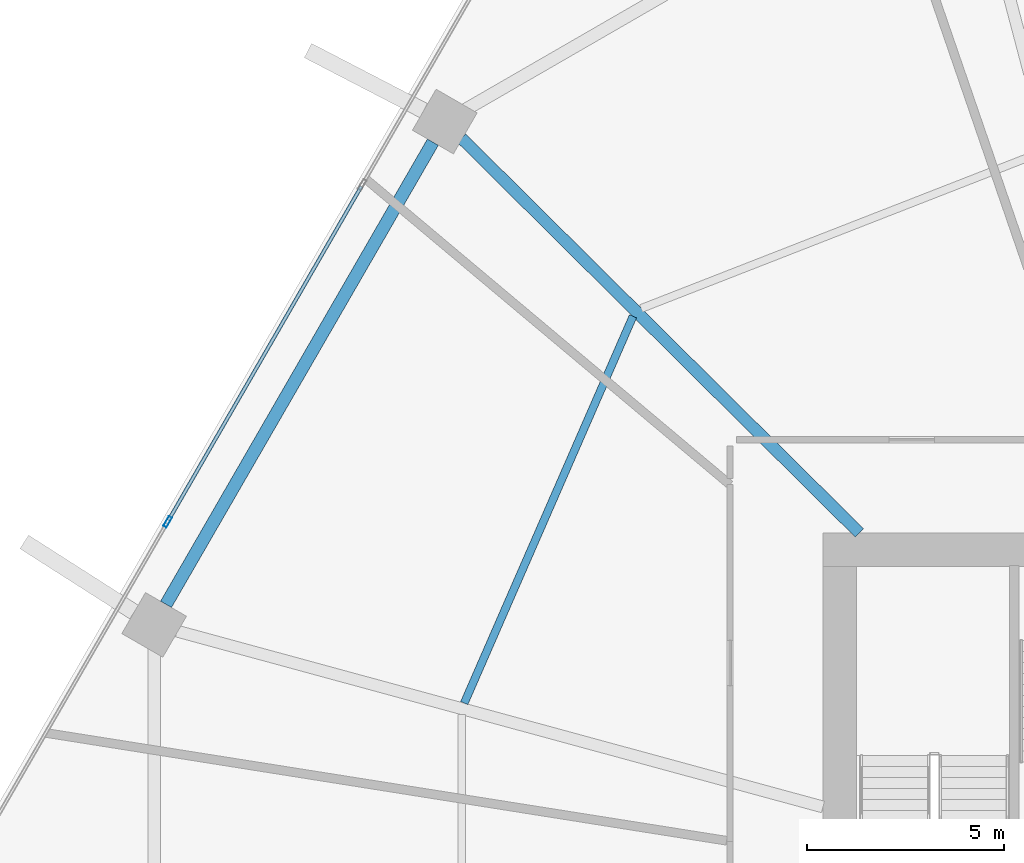
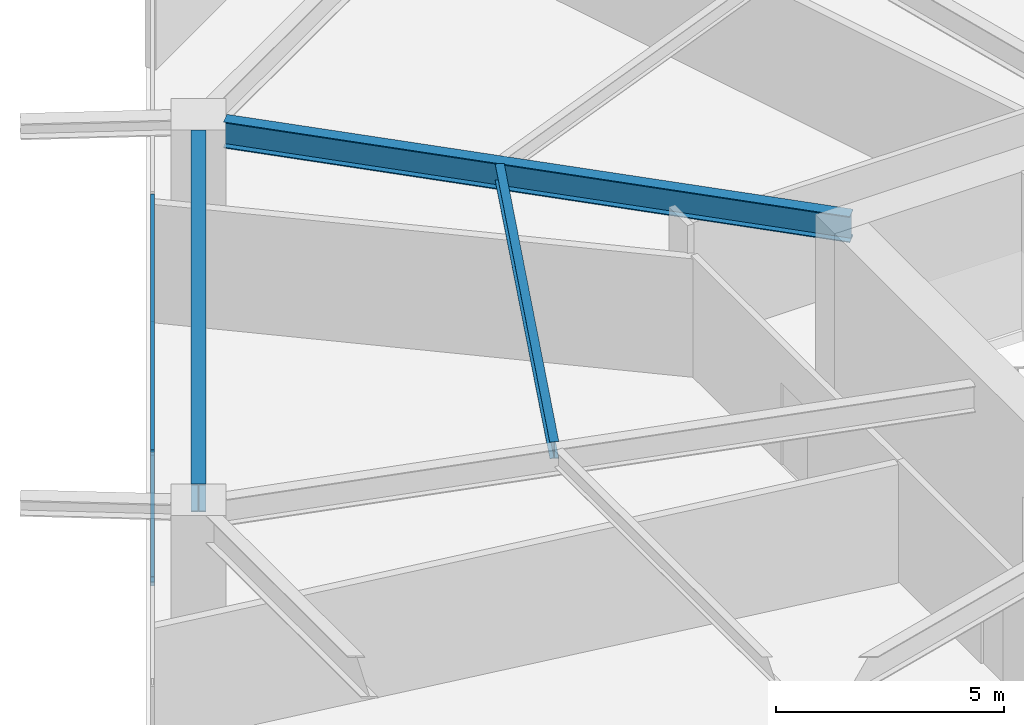
# One storey, part 13 of 25: 3 beams, 3 members, 1 element without a shape of its own.
"""IFC4 building model written with IfcOpenShell, lengths in metres."""

from ifc_helpers import new_model, si_unit, direction, frame, origin, origin_2d, place, context, subcontext, project, spatial, hollow_rectangle, i_section, extrude, material, material_profile, profile_set, type_object, element, aggregate, save


model = new_model("IFC4")

# Units and contexts
model_context = context("Model", 3, precision=1e-05, world=origin(), true_north=direction((0.0, 1.0)))
body_context = subcontext(model_context, "Body", "Model", "MODEL_VIEW")
ifc_project = project(units=[si_unit("LENGTHUNIT", "METRE"), si_unit("AREAUNIT", "SQUARE_METRE"), si_unit("VOLUMEUNIT", "CUBIC_METRE"), si_unit("PLANEANGLEUNIT", "RADIAN"), si_unit("MASSUNIT", "GRAM", prefix="KILO")], contexts=[model_context])

# Site, building, storey
site_placement = place(None, origin())
site = spatial("IfcSite", under=ifc_project, at=site_placement, CompositionType="ELEMENT")
building_placement = place(site_placement, origin())
building = spatial("IfcBuilding", under=site, at=building_placement, Name="Zuhravey Tower", CompositionType="ELEMENT")
storey_placement = place(building_placement, frame((0.0, 0.0, 45.60009765625)))
storey = spatial("IfcBuildingStorey", under=building, at=storey_placement, Name="L11", CompositionType="ELEMENT", Elevation=45.60009765625)

# Curtain wall, members
ifc_material_1 = material(Name="Thermally broken anodised aluminium", Category="aluminium")
curtain_wall_type = type_object("IfcCurtainWallType", Name="School Low-E Unitised Curtain Wall CW1", PredefinedType="NOTDEFINED", material=ifc_material_1)
curtain_wall_placement = place(storey_placement, origin())
curtain_wall = element("IfcCurtainWall", 1, at=curtain_wall_placement, inside=storey, type_object=curtain_wall_type, Name="L11 CW1 CW-L11-F3-1", PredefinedType="NOTDEFINED")
ifc_material_2 = material(Name="Anodised aluminium", Category="aluminium")
ifc_material_profile_1 = material_profile(ifc_material_2, hollow_rectangle(XDim=0.090087890625, YDim=0.284912109375, WallThickness=0.0048828125, at=origin_2d()), Name="ALU-RHS-90x285x5")
ifc_profile_set_1 = profile_set([ifc_material_profile_1], Name="Anodised aluminium")
member_type_1 = type_object("IfcMemberType", Name="Curtain-Wall Mullion 90x180", PredefinedType="MULLION", material=ifc_profile_set_1)
member_1_placement = place(storey_placement, frame((8.45458984375, 42.20703125, 0.0), z_axis=(0.0, 0.0, 1.0), x_axis=(-0.86602552265, 0.499999794119, 0.0)))
member_1 = element("IfcMember", 2, at=member_1_placement, type_object=member_type_1, Name="CW1 mullion 2", PredefinedType="MULLION", context=body_context, shape_type="SweptSolid", body=[
    extrude(hollow_rectangle(XDim=0.090087890625, YDim=0.284912109375, WallThickness=0.0048828125, at=origin_2d()), origin(), (0.0, 0.0, 1.0), 3.491943359375),
])
ifc_material_profile_2 = material_profile(ifc_material_2, hollow_rectangle(XDim=0.090087890625, YDim=0.14990234375, WallThickness=0.0048828125, at=origin_2d()), Name="ALU-RHS-90x150x5")
ifc_profile_set_2 = profile_set([ifc_material_profile_2], Name="Anodised aluminium")
member_type_2 = type_object("IfcMemberType", Name="Curtain-Wall Transom 90x150", PredefinedType="USERDEFINED", material=ifc_profile_set_2)
member_2_placement = place(storey_placement, frame((8.47705078125, 42.245849609375, 0.044921875), z_axis=(0.499990498062, 0.866030889661, 0.0), x_axis=(-0.866030889661, 0.499990498062, 0.0)))
member_2 = element("IfcMember", 3, at=member_2_placement, type_object=member_type_2, Name="CW1 transom 2.1", ObjectType="TRANSOM", PredefinedType="USERDEFINED", context=body_context, shape_type="SweptSolid", body=[
    extrude(hollow_rectangle(XDim=0.090087890625, YDim=0.14990234375, WallThickness=0.0048828125, at=origin_2d()), origin(), (0.0, 0.0, 1.0), 9.776611328125),
])
member_3_placement = place(storey_placement, frame((8.47705078125, 42.245849609375, 3.447021484375), z_axis=(0.499990498062, 0.866030889661, 0.0), x_axis=(-0.866030889661, 0.499990498062, 0.0)))
member_3 = element("IfcMember", 4, at=member_3_placement, type_object=member_type_2, Name="CW1 transom 2.2", ObjectType="TRANSOM", PredefinedType="USERDEFINED", context=body_context, shape_type="SweptSolid", body=[
    extrude(hollow_rectangle(XDim=0.090087890625, YDim=0.14990234375, WallThickness=0.0048828125, at=origin_2d()), origin(), (0.0, 0.0, 1.0), 9.776611328125),
])
aggregate(curtain_wall, [member_1, member_2, member_3])

# Beams
ifc_material_3 = material(Name="Steel SM355", Category="steel")
ifc_material_profile_3 = material_profile(ifc_material_3, i_section(OverallWidth=0.320068359375, OverallDepth=0.75, WebThickness=0.013916015625, FlangeThickness=0.02490234375, at=origin_2d()), Name="H-750x320x14x25")
ifc_profile_set_3 = profile_set([ifc_material_profile_3], Name="Steel SM355")
beam_type_1 = type_object("IfcBeamType", Name="Perimeter Ring Beam H750x320", PredefinedType="BEAM", material=ifc_profile_set_3)
beam_1_placement = place(storey_placement, frame((15.179443359375, 51.834716796875, 3.544921875), z_axis=(-0.499999877243, -0.866025474658, 0.0), x_axis=(0.866025474658, -0.499999877243, 0.0)))
element("IfcBeam", 5, at=beam_1_placement, inside=storey, type_object=beam_type_1, Name="L11 PB1 BM-L11-PB-05", PredefinedType="BEAM", context=body_context, shape_type="SweptSolid", body=[
    extrude(i_section(OverallWidth=0.320068359375, OverallDepth=0.75, WebThickness=0.013916015625, FlangeThickness=0.02490234375, at=origin_2d()), origin(), (0.0, 0.0, 1.0), 13.5341796875),
])
ifc_material_profile_4 = material_profile(ifc_material_3, i_section(OverallWidth=0.300048828125, OverallDepth=0.699951171875, WebThickness=0.012939453125, FlangeThickness=0.02392578125, at=origin_2d()), Name="H-700x300x13x24")
ifc_profile_set_4 = profile_set([ifc_material_profile_4], Name="Steel SM355")
beam_type_2 = type_object("IfcBeamType", Name="Radial Primary Girder H700x300", PredefinedType="BEAM", material=ifc_profile_set_4)
beam_2_placement = place(storey_placement, frame((25.992919921875, 41.927978515625, 3.56982421875), z_axis=(-0.709902823282, 0.704299639, 0.0), x_axis=(-0.704299639, -0.709902823282, 0.0)))
element("IfcBeam", 6, at=beam_2_placement, inside=storey, type_object=beam_type_2, Name="L11 RG1 BM-L11-RAD-05", PredefinedType="BEAM", context=body_context, shape_type="SweptSolid", body=[
    extrude(i_section(OverallWidth=0.300048828125, OverallDepth=0.699951171875, WebThickness=0.012939453125, FlangeThickness=0.02392578125, at=origin_2d()), origin(), (0.0, 0.0, 1.0), 14.204345703125),
])
ifc_material_profile_5 = material_profile(ifc_material_3, i_section(OverallWidth=0.199951171875, OverallDepth=0.449951171875, WebThickness=0.009033203125, FlangeThickness=0.013916015625, at=origin_2d()), Name="H-450x200x9x14")
ifc_profile_set_5 = profile_set([ifc_material_profile_5], Name="Steel SM355")
beam_type_3 = type_object("IfcBeamType", Name="Secondary Floor Joist H450x200", PredefinedType="JOIST", material=ifc_profile_set_5)
beam_3_placement = place(storey_placement, frame((20.2548828125, 47.41845703125, 3.69482421875), z_axis=(-0.399923551578, -0.916548500022, 0.0), x_axis=(0.916548500022, -0.399923551578, 0.0)))
element("IfcBeam", 7, at=beam_3_placement, inside=storey, type_object=beam_type_3, Name="L11 SJ1 BM-L11-SJ-05-1", PredefinedType="JOIST", context=body_context, shape_type="SweptSolid", body=[
    extrude(i_section(OverallWidth=0.199951171875, OverallDepth=0.449951171875, WebThickness=0.009033203125, FlangeThickness=0.013916015625, at=origin_2d()), origin(), (0.0, 0.0, 1.0), 10.70263671875),
])

save(model, "model.ifc")
